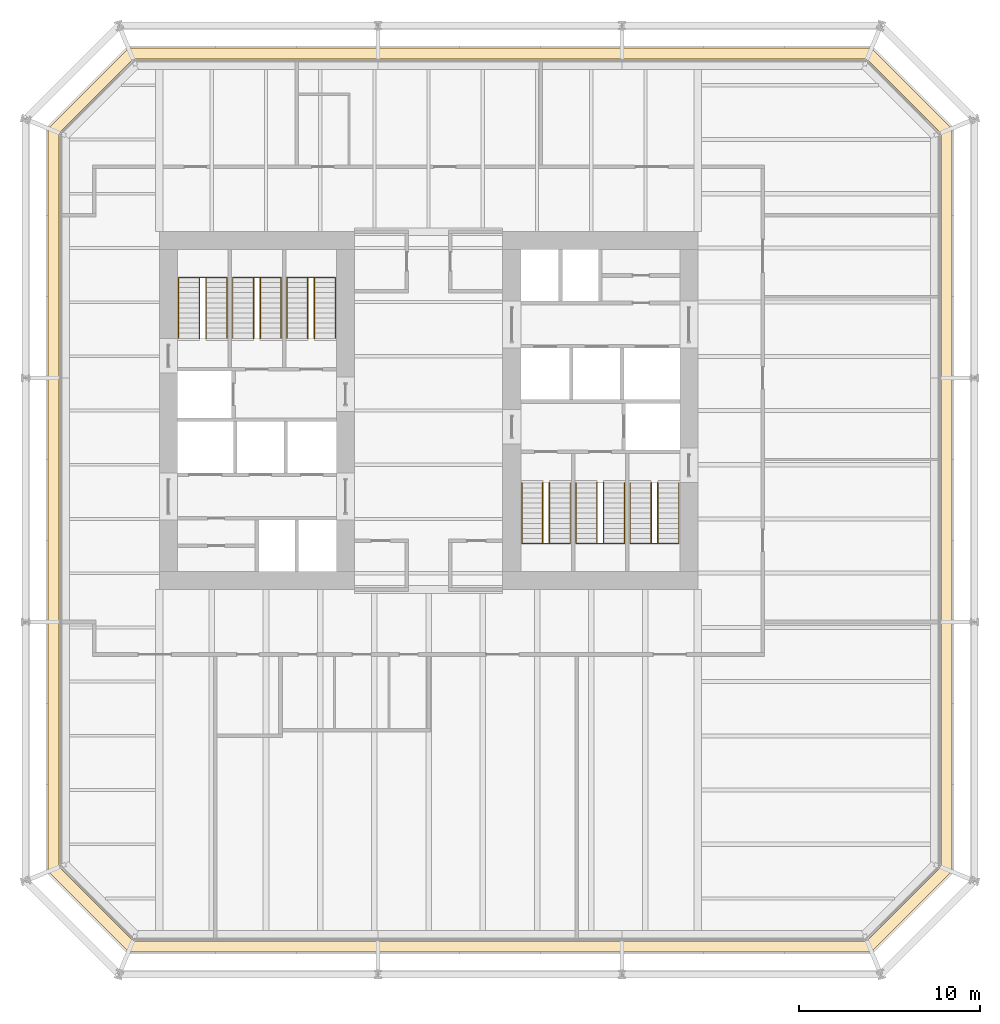
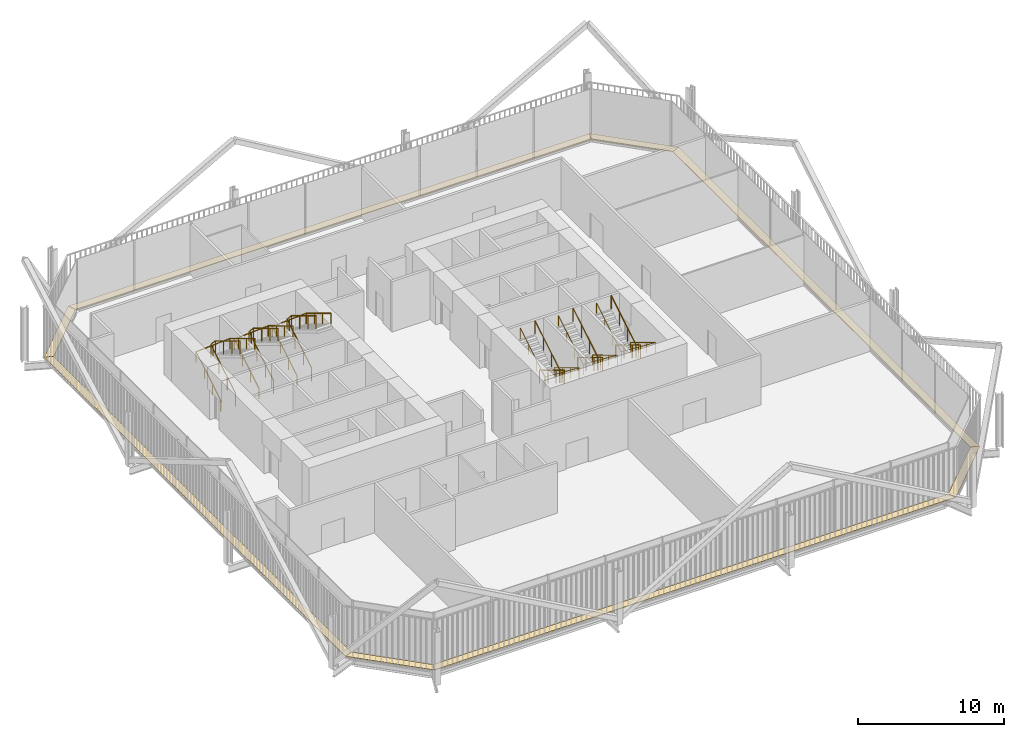
# One storey, part 21 of 21: 12 railings, 8 coverings.
"""IFC4 building model written with IfcOpenShell, lengths in metres."""

from ifc_helpers import new_model, si_unit, direction, frame, origin, origin_2d, place, context, subcontext, project, spatial, polyline, circle, outline, extrude, material, layer, layer_set, type_object, element, save


model = new_model("IFC4")

# Units and contexts
model_context = context("Model", 3, precision=1e-05, world=origin(), true_north=direction((0.0, 1.0)))
body_context = subcontext(model_context, "Body", "Model", "MODEL_VIEW")
ifc_project = project(units=[si_unit("LENGTHUNIT", "METRE"), si_unit("AREAUNIT", "SQUARE_METRE"), si_unit("VOLUMEUNIT", "CUBIC_METRE"), si_unit("PLANEANGLEUNIT", "RADIAN"), si_unit("MASSUNIT", "GRAM", prefix="KILO")], contexts=[model_context])

# Site, building, storey
site_placement = place(None, origin())
site = spatial("IfcSite", under=ifc_project, at=site_placement, CompositionType="ELEMENT")
building_placement = place(site_placement, origin())
building = spatial("IfcBuilding", under=site, at=building_placement, Name="Millrace Tower", CompositionType="ELEMENT")
storey_placement = place(building_placement, frame((0.0, 0.0, 95.199951171875)))
storey = spatial("IfcBuildingStorey", under=building, at=storey_placement, Name="L21", CompositionType="ELEMENT", Elevation=95.199951171875)

# Coverings
ifc_material_1 = material(Name="Steel ASTM A36", Category="steel")
ifc_layer = layer(ifc_material_1, 0.050048828125)
ifc_layer_set = layer_set([ifc_layer], Name="Steel ASTM A36")
covering_type = type_object("IfcCoveringType", Name="CAVITY CATWALK steel grating", PredefinedType="FLOORING", material=ifc_layer_set)
placement = place(storey_placement, frame((0.0, 0.0, 0.10009765625)))
element("IfcCovering", 1, at=placement, inside=storey, type_object=covering_type, Name="Cavity catwalk grating B-F01 L21 1", PredefinedType="FLOORING", context=body_context, shape_type="SweptSolid", body=[
    extrude(outline(polyline([(-21.050048828125, -25.5107421875), (-16.610595703125, -29.949951171875), (-16.362060546875, -29.35009765625), (-20.449951171875, -25.26220703125), (-21.050048828125, -25.5107421875)])), origin(), (0.0, 0.0, 1.0), 0.050048828125),
])
element("IfcCovering", 2, at=placement, inside=storey, type_object=covering_type, Name="Cavity catwalk grating B-F02 L21 1", PredefinedType="FLOORING", context=body_context, shape_type="SweptSolid", body=[
    extrude(outline(polyline([(-16.610595703125, -29.949951171875), (24.5107421875, -29.949951171875), (24.26220703125, -29.35009765625), (-16.362060546875, -29.35009765625), (-16.610595703125, -29.949951171875)])), origin(), (0.0, 0.0, 1.0), 0.050048828125),
])
element("IfcCovering", 3, at=placement, inside=storey, type_object=covering_type, Name="Cavity catwalk grating B-F03 L21 1", PredefinedType="FLOORING", context=body_context, shape_type="SweptSolid", body=[
    extrude(outline(polyline([(24.5107421875, -29.949951171875), (28.949951171875, -25.5107421875), (28.35009765625, -25.26220703125), (24.26220703125, -29.35009765625), (24.5107421875, -29.949951171875)])), origin(), (0.0, 0.0, 1.0), 0.050048828125),
])
element("IfcCovering", 4, at=placement, inside=storey, type_object=covering_type, Name="Cavity catwalk grating B-F04 L21 1", PredefinedType="FLOORING", context=body_context, shape_type="SweptSolid", body=[
    extrude(outline(polyline([(28.949951171875, -25.5107421875), (28.949951171875, 15.610595703125), (28.35009765625, 15.362060546875), (28.35009765625, -25.26220703125), (28.949951171875, -25.5107421875)])), origin(), (0.0, 0.0, 1.0), 0.050048828125),
])
element("IfcCovering", 5, at=placement, inside=storey, type_object=covering_type, Name="Cavity catwalk grating B-F05 L21 1", PredefinedType="FLOORING", context=body_context, shape_type="SweptSolid", body=[
    extrude(outline(polyline([(28.949951171875, 15.610595703125), (24.5107421875, 20.050048828125), (24.26220703125, 19.449951171875), (28.35009765625, 15.362060546875), (28.949951171875, 15.610595703125)])), origin(), (0.0, 0.0, 1.0), 0.050048828125),
])
element("IfcCovering", 6, at=placement, inside=storey, type_object=covering_type, Name="Cavity catwalk grating B-F06 L21 1", PredefinedType="FLOORING", context=body_context, shape_type="SweptSolid", body=[
    extrude(outline(polyline([(24.5107421875, 20.050048828125), (-16.610595703125, 20.050048828125), (-16.362060546875, 19.449951171875), (24.26220703125, 19.449951171875), (24.5107421875, 20.050048828125)])), origin(), (0.0, 0.0, 1.0), 0.050048828125),
])
element("IfcCovering", 7, at=placement, inside=storey, type_object=covering_type, Name="Cavity catwalk grating B-F07 L21 1", PredefinedType="FLOORING", context=body_context, shape_type="SweptSolid", body=[
    extrude(outline(polyline([(-16.610595703125, 20.050048828125), (-21.050048828125, 15.610595703125), (-20.449951171875, 15.362060546875), (-16.362060546875, 19.449951171875), (-16.610595703125, 20.050048828125)])), origin(), (0.0, 0.0, 1.0), 0.050048828125),
])
element("IfcCovering", 8, at=placement, inside=storey, type_object=covering_type, Name="Cavity catwalk grating B-F08 L21 1", PredefinedType="FLOORING", context=body_context, shape_type="SweptSolid", body=[
    extrude(outline(polyline([(-21.050048828125, 15.610595703125), (-21.050048828125, -25.5107421875), (-20.449951171875, -25.26220703125), (-20.449951171875, 15.362060546875), (-21.050048828125, 15.610595703125)])), origin(), (0.0, 0.0, 1.0), 0.050048828125),
])

# Railings
ifc_material_2 = material(Name="Stainless steel ASTM A240 type 316", Category="steel")
railing_type_1 = type_object("IfcRailingType", Name="Stair guard 1100", PredefinedType="GUARDRAIL", material=ifc_material_2)
for number, where, name in (
    (9, (-12.679931640625, 4.0, 0.169189453125), "Stair guard 1 W L21"),
    (10, (-9.679931640625, 4.0, 0.169189453125), "Stair guard 2 W L21"),
    (11, (-6.679931640625, 4.0, 0.169189453125), "Stair guard 3 W L21"),
):
    element("IfcRailing", number, at=place(storey_placement, frame(where)), inside=storey, type_object=railing_type_1, Name=name, PredefinedType="GUARDRAIL", context=body_context, shape_type="SweptSolid", body=[
        extrude(circle(Radius=0.02392578125, at=origin_2d()), frame((0.0, 0.0, 1.076171875), z_axis=(0.0, 0.855836976705, 0.517245656632), x_axis=(-1.0, 0.0, 0.0)), (0.0, 0.0, 1.0), 3.926025390625),
        extrude(circle(Radius=0.02392578125, at=origin_2d()), frame((0.0, 3.360107421875, 3.10693359375), z_axis=(0.904971698027, 0.0, 0.425471768475), x_axis=(0.0, 1.0, 0.0)), (0.0, 0.0, 1.0), 0.397705078125),
        extrude(circle(Radius=0.02392578125, at=origin_2d()), frame((0.35986328125, 3.360107421875, 3.27587890625), z_axis=(0.0, -0.855809448938, 0.517291201461), x_axis=(1.0, 0.0, 0.0)), (0.0, 0.0, 1.0), 3.92626953125),
        extrude(circle(Radius=0.02099609375, at=origin_2d()), origin(), (0.0, 0.0, 1.0), 1.052001953125),
        extrude(circle(Radius=0.02099609375, at=origin_2d()), frame((0.0, 1.1201171875, 0.677001953125)), (0.0, 0.0, 1.0), 1.052001953125),
        extrude(circle(Radius=0.02099609375, at=origin_2d()), frame((0.0, 2.239990234375, 1.353759765625)), (0.0, 0.0, 1.0), 1.052001953125),
        extrude(circle(Radius=0.02099609375, at=origin_2d()), frame((0.0, 3.360107421875, 2.03076171875)), (0.0, 0.0, 1.0), 1.052001953125),
        extrude(circle(Radius=0.02099609375, at=origin_2d()), frame((0.35986328125, 3.360107421875, 2.199951171875)), (0.0, 0.0, 1.0), 1.052001953125),
        extrude(circle(Radius=0.02099609375, at=origin_2d()), frame((0.35986328125, 2.239990234375, 2.876953125)), (0.0, 0.0, 1.0), 1.052001953125),
        extrude(circle(Radius=0.02099609375, at=origin_2d()), frame((0.35986328125, 1.1201171875, 3.553955078125)), (0.0, 0.0, 1.0), 1.052001953125),
        extrude(circle(Radius=0.02099609375, at=origin_2d()), frame((0.35986328125, 0.0, 4.23095703125)), (0.0, 0.0, 1.0), 1.052001953125),
    ])
for number, where, name in (
    (12, (12.679931640625, -4.0, 0.169189453125), "Stair guard 1 E L21"),
    (13, (9.679931640625, -4.0, 0.169189453125), "Stair guard 2 E L21"),
    (14, (6.679931640625, -4.0, 0.169189453125), "Stair guard 3 E L21"),
):
    element("IfcRailing", number, at=place(storey_placement, frame(where)), inside=storey, type_object=railing_type_1, Name=name, PredefinedType="GUARDRAIL", context=body_context, shape_type="SweptSolid", body=[
        extrude(circle(Radius=0.02392578125, at=origin_2d()), frame((0.0, 0.0, 1.076171875), z_axis=(0.0, -0.855836976705, 0.517245656632), x_axis=(1.0, 0.0, 0.0)), (0.0, 0.0, 1.0), 3.926025390625),
        extrude(circle(Radius=0.02392578125, at=origin_2d()), frame((0.0, -3.360107421875, 3.10693359375), z_axis=(-0.904971698027, 0.0, 0.425471768475), x_axis=(0.0, -1.0, 0.0)), (0.0, 0.0, 1.0), 0.397705078125),
        extrude(circle(Radius=0.02392578125, at=origin_2d()), frame((-0.35986328125, -3.360107421875, 3.27587890625), z_axis=(0.0, 0.855809448938, 0.517291201461), x_axis=(-1.0, 0.0, 0.0)), (0.0, 0.0, 1.0), 3.92626953125),
        extrude(circle(Radius=0.02099609375, at=origin_2d()), origin(), (0.0, 0.0, 1.0), 1.052001953125),
        extrude(circle(Radius=0.02099609375, at=origin_2d()), frame((0.0, -1.1201171875, 0.677001953125)), (0.0, 0.0, 1.0), 1.052001953125),
        extrude(circle(Radius=0.02099609375, at=origin_2d()), frame((0.0, -2.239990234375, 1.353759765625)), (0.0, 0.0, 1.0), 1.052001953125),
        extrude(circle(Radius=0.02099609375, at=origin_2d()), frame((0.0, -3.360107421875, 2.03076171875)), (0.0, 0.0, 1.0), 1.052001953125),
        extrude(circle(Radius=0.02099609375, at=origin_2d()), frame((-0.35986328125, -3.360107421875, 2.199951171875)), (0.0, 0.0, 1.0), 1.052001953125),
        extrude(circle(Radius=0.02099609375, at=origin_2d()), frame((-0.35986328125, -2.239990234375, 2.876953125)), (0.0, 0.0, 1.0), 1.052001953125),
        extrude(circle(Radius=0.02099609375, at=origin_2d()), frame((-0.35986328125, -1.1201171875, 3.553955078125)), (0.0, 0.0, 1.0), 1.052001953125),
        extrude(circle(Radius=0.02099609375, at=origin_2d()), frame((-0.35986328125, 0.0, 4.23095703125)), (0.0, 0.0, 1.0), 1.052001953125),
    ])
ifc_material_3 = material(Name="Stainless steel ASTM A240 type 316", Category="steel")
railing_type_2 = type_object("IfcRailingType", Name="Stair handrail 900", PredefinedType="HANDRAIL", material=ifc_material_3)
railing_1_placement = place(storey_placement, frame((-13.840087890625, 4.0, 0.169189453125)))
element("IfcRailing", 15, at=railing_1_placement, inside=storey, type_object=railing_type_2, Name="Stair handrail 1 W L21", PredefinedType="HANDRAIL", context=body_context, shape_type="SweptSolid", body=[
    extrude(circle(Radius=0.02392578125, at=origin_2d()), frame((0.0, 0.0, 0.8759765625), z_axis=(0.0, 0.855836976705, 0.517245656632), x_axis=(-1.0, 0.0, 0.0)), (0.0, 0.0, 1.0), 3.926025390625),
    extrude(circle(Radius=0.02392578125, at=origin_2d()), frame((0.0, 3.360107421875, 2.90673828125), z_axis=(0.998013473273, 0.0, 0.063000850517), x_axis=(0.0, 1.0, 0.0)), (0.0, 0.0, 1.0), 2.685546875),
    extrude(circle(Radius=0.02392578125, at=origin_2d()), frame((2.68017578125, 3.360107421875, 3.07568359375), z_axis=(0.0, -0.855809448938, 0.517291201461), x_axis=(1.0, 0.0, 0.0)), (0.0, 0.0, 1.0), 3.92626953125),
    extrude(circle(Radius=0.02099609375, at=origin_2d()), origin(), (0.0, 0.0, 1.0), 0.851806640625),
    extrude(circle(Radius=0.02099609375, at=origin_2d()), frame((0.0, 1.1201171875, 0.677001953125)), (0.0, 0.0, 1.0), 0.851806640625),
    extrude(circle(Radius=0.02099609375, at=origin_2d()), frame((0.0, 2.239990234375, 1.353759765625)), (0.0, 0.0, 1.0), 0.851806640625),
    extrude(circle(Radius=0.02099609375, at=origin_2d()), frame((0.0, 3.360107421875, 2.03076171875)), (0.0, 0.0, 1.0), 0.851806640625),
    extrude(circle(Radius=0.02099609375, at=origin_2d()), frame((1.340087890625, 3.360107421875, 2.115234375)), (0.0, 0.0, 1.0), 0.851806640625),
    extrude(circle(Radius=0.02099609375, at=origin_2d()), frame((2.68017578125, 3.360107421875, 2.199951171875)), (0.0, 0.0, 1.0), 0.851806640625),
    extrude(circle(Radius=0.02099609375, at=origin_2d()), frame((2.68017578125, 2.239990234375, 2.876953125)), (0.0, 0.0, 1.0), 0.851806640625),
    extrude(circle(Radius=0.02099609375, at=origin_2d()), frame((2.68017578125, 1.1201171875, 3.553955078125)), (0.0, 0.0, 1.0), 0.851806640625),
    extrude(circle(Radius=0.02099609375, at=origin_2d()), frame((2.68017578125, 0.0, 4.23095703125)), (0.0, 0.0, 1.0), 0.851806640625),
])
railing_2_placement = place(storey_placement, frame((-10.840087890625, 4.0, 0.169189453125)))
element("IfcRailing", 16, at=railing_2_placement, inside=storey, type_object=railing_type_2, Name="Stair handrail 2 W L21", PredefinedType="HANDRAIL", context=body_context, shape_type="SweptSolid", body=[
    extrude(circle(Radius=0.02392578125, at=origin_2d()), frame((0.0, 0.0, 0.8759765625), z_axis=(0.0, 0.855836976705, 0.517245656632), x_axis=(-1.0, 0.0, 0.0)), (0.0, 0.0, 1.0), 3.926025390625),
    extrude(circle(Radius=0.02392578125, at=origin_2d()), frame((0.0, 3.360107421875, 2.90673828125), z_axis=(0.998013473273, 0.0, 0.063000850517), x_axis=(0.0, 1.0, 0.0)), (0.0, 0.0, 1.0), 2.685546875),
    extrude(circle(Radius=0.02392578125, at=origin_2d()), frame((2.68017578125, 3.360107421875, 3.07568359375), z_axis=(0.0, -0.855809448938, 0.517291201461), x_axis=(1.0, 0.0, 0.0)), (0.0, 0.0, 1.0), 3.92626953125),
    extrude(circle(Radius=0.02099609375, at=origin_2d()), origin(), (0.0, 0.0, 1.0), 0.851806640625),
    extrude(circle(Radius=0.02099609375, at=origin_2d()), frame((0.0, 1.1201171875, 0.677001953125)), (0.0, 0.0, 1.0), 0.851806640625),
    extrude(circle(Radius=0.02099609375, at=origin_2d()), frame((0.0, 2.239990234375, 1.353759765625)), (0.0, 0.0, 1.0), 0.851806640625),
    extrude(circle(Radius=0.02099609375, at=origin_2d()), frame((0.0, 3.360107421875, 2.03076171875)), (0.0, 0.0, 1.0), 0.851806640625),
    extrude(circle(Radius=0.02099609375, at=origin_2d()), frame((1.340087890625, 3.360107421875, 2.115234375)), (0.0, 0.0, 1.0), 0.851806640625),
    extrude(circle(Radius=0.02099609375, at=origin_2d()), frame((2.68017578125, 3.360107421875, 2.199951171875)), (0.0, 0.0, 1.0), 0.851806640625),
    extrude(circle(Radius=0.02099609375, at=origin_2d()), frame((2.68017578125, 2.239990234375, 2.876953125)), (0.0, 0.0, 1.0), 0.851806640625),
    extrude(circle(Radius=0.02099609375, at=origin_2d()), frame((2.68017578125, 1.1201171875, 3.553955078125)), (0.0, 0.0, 1.0), 0.851806640625),
    extrude(circle(Radius=0.02099609375, at=origin_2d()), frame((2.68017578125, 0.0, 4.23095703125)), (0.0, 0.0, 1.0), 0.851806640625),
])
railing_3_placement = place(storey_placement, frame((-7.840087890625, 4.0, 0.169189453125)))
element("IfcRailing", 17, at=railing_3_placement, inside=storey, type_object=railing_type_2, Name="Stair handrail 3 W L21", PredefinedType="HANDRAIL", context=body_context, shape_type="SweptSolid", body=[
    extrude(circle(Radius=0.02392578125, at=origin_2d()), frame((0.0, 0.0, 0.8759765625), z_axis=(0.0, 0.855836976705, 0.517245656632), x_axis=(-1.0, 0.0, 0.0)), (0.0, 0.0, 1.0), 3.926025390625),
    extrude(circle(Radius=0.02392578125, at=origin_2d()), frame((0.0, 3.360107421875, 2.90673828125), z_axis=(0.998013473273, 0.0, 0.063000850517), x_axis=(0.0, 1.0, 0.0)), (0.0, 0.0, 1.0), 2.685546875),
    extrude(circle(Radius=0.02392578125, at=origin_2d()), frame((2.68017578125, 3.360107421875, 3.07568359375), z_axis=(0.0, -0.855809448938, 0.517291201461), x_axis=(1.0, 0.0, 0.0)), (0.0, 0.0, 1.0), 3.92626953125),
    extrude(circle(Radius=0.02099609375, at=origin_2d()), origin(), (0.0, 0.0, 1.0), 0.851806640625),
    extrude(circle(Radius=0.02099609375, at=origin_2d()), frame((0.0, 1.1201171875, 0.677001953125)), (0.0, 0.0, 1.0), 0.851806640625),
    extrude(circle(Radius=0.02099609375, at=origin_2d()), frame((0.0, 2.239990234375, 1.353759765625)), (0.0, 0.0, 1.0), 0.851806640625),
    extrude(circle(Radius=0.02099609375, at=origin_2d()), frame((0.0, 3.360107421875, 2.03076171875)), (0.0, 0.0, 1.0), 0.851806640625),
    extrude(circle(Radius=0.02099609375, at=origin_2d()), frame((1.340087890625, 3.360107421875, 2.115234375)), (0.0, 0.0, 1.0), 0.851806640625),
    extrude(circle(Radius=0.02099609375, at=origin_2d()), frame((2.68017578125, 3.360107421875, 2.199951171875)), (0.0, 0.0, 1.0), 0.851806640625),
    extrude(circle(Radius=0.02099609375, at=origin_2d()), frame((2.68017578125, 2.239990234375, 2.876953125)), (0.0, 0.0, 1.0), 0.851806640625),
    extrude(circle(Radius=0.02099609375, at=origin_2d()), frame((2.68017578125, 1.1201171875, 3.553955078125)), (0.0, 0.0, 1.0), 0.851806640625),
    extrude(circle(Radius=0.02099609375, at=origin_2d()), frame((2.68017578125, 0.0, 4.23095703125)), (0.0, 0.0, 1.0), 0.851806640625),
])
railing_4_placement = place(storey_placement, frame((13.840087890625, -4.0, 0.169189453125)))
element("IfcRailing", 18, at=railing_4_placement, inside=storey, type_object=railing_type_2, Name="Stair handrail 1 E L21", PredefinedType="HANDRAIL", context=body_context, shape_type="SweptSolid", body=[
    extrude(circle(Radius=0.02392578125, at=origin_2d()), frame((0.0, 0.0, 0.8759765625), z_axis=(0.0, -0.855836976705, 0.517245656632), x_axis=(1.0, 0.0, 0.0)), (0.0, 0.0, 1.0), 3.926025390625),
    extrude(circle(Radius=0.02392578125, at=origin_2d()), frame((0.0, -3.360107421875, 2.90673828125), z_axis=(-0.998013473273, 0.0, 0.063000850517), x_axis=(0.0, -1.0, 0.0)), (0.0, 0.0, 1.0), 2.685546875),
    extrude(circle(Radius=0.02392578125, at=origin_2d()), frame((-2.68017578125, -3.360107421875, 3.07568359375), z_axis=(0.0, 0.855809448938, 0.517291201461), x_axis=(-1.0, 0.0, 0.0)), (0.0, 0.0, 1.0), 3.92626953125),
    extrude(circle(Radius=0.02099609375, at=origin_2d()), origin(), (0.0, 0.0, 1.0), 0.851806640625),
    extrude(circle(Radius=0.02099609375, at=origin_2d()), frame((0.0, -1.1201171875, 0.677001953125)), (0.0, 0.0, 1.0), 0.851806640625),
    extrude(circle(Radius=0.02099609375, at=origin_2d()), frame((0.0, -2.239990234375, 1.353759765625)), (0.0, 0.0, 1.0), 0.851806640625),
    extrude(circle(Radius=0.02099609375, at=origin_2d()), frame((0.0, -3.360107421875, 2.03076171875)), (0.0, 0.0, 1.0), 0.851806640625),
    extrude(circle(Radius=0.02099609375, at=origin_2d()), frame((-1.340087890625, -3.360107421875, 2.115234375)), (0.0, 0.0, 1.0), 0.851806640625),
    extrude(circle(Radius=0.02099609375, at=origin_2d()), frame((-2.68017578125, -3.360107421875, 2.199951171875)), (0.0, 0.0, 1.0), 0.851806640625),
    extrude(circle(Radius=0.02099609375, at=origin_2d()), frame((-2.68017578125, -2.239990234375, 2.876953125)), (0.0, 0.0, 1.0), 0.851806640625),
    extrude(circle(Radius=0.02099609375, at=origin_2d()), frame((-2.68017578125, -1.1201171875, 3.553955078125)), (0.0, 0.0, 1.0), 0.851806640625),
    extrude(circle(Radius=0.02099609375, at=origin_2d()), frame((-2.68017578125, 0.0, 4.23095703125)), (0.0, 0.0, 1.0), 0.851806640625),
])
railing_5_placement = place(storey_placement, frame((10.840087890625, -4.0, 0.169189453125)))
element("IfcRailing", 19, at=railing_5_placement, inside=storey, type_object=railing_type_2, Name="Stair handrail 2 E L21", PredefinedType="HANDRAIL", context=body_context, shape_type="SweptSolid", body=[
    extrude(circle(Radius=0.02392578125, at=origin_2d()), frame((0.0, 0.0, 0.8759765625), z_axis=(0.0, -0.855836976705, 0.517245656632), x_axis=(1.0, 0.0, 0.0)), (0.0, 0.0, 1.0), 3.926025390625),
    extrude(circle(Radius=0.02392578125, at=origin_2d()), frame((0.0, -3.360107421875, 2.90673828125), z_axis=(-0.998013473273, 0.0, 0.063000850517), x_axis=(0.0, -1.0, 0.0)), (0.0, 0.0, 1.0), 2.685546875),
    extrude(circle(Radius=0.02392578125, at=origin_2d()), frame((-2.68017578125, -3.360107421875, 3.07568359375), z_axis=(0.0, 0.855809448938, 0.517291201461), x_axis=(-1.0, 0.0, 0.0)), (0.0, 0.0, 1.0), 3.92626953125),
    extrude(circle(Radius=0.02099609375, at=origin_2d()), origin(), (0.0, 0.0, 1.0), 0.851806640625),
    extrude(circle(Radius=0.02099609375, at=origin_2d()), frame((0.0, -1.1201171875, 0.677001953125)), (0.0, 0.0, 1.0), 0.851806640625),
    extrude(circle(Radius=0.02099609375, at=origin_2d()), frame((0.0, -2.239990234375, 1.353759765625)), (0.0, 0.0, 1.0), 0.851806640625),
    extrude(circle(Radius=0.02099609375, at=origin_2d()), frame((0.0, -3.360107421875, 2.03076171875)), (0.0, 0.0, 1.0), 0.851806640625),
    extrude(circle(Radius=0.02099609375, at=origin_2d()), frame((-1.340087890625, -3.360107421875, 2.115234375)), (0.0, 0.0, 1.0), 0.851806640625),
    extrude(circle(Radius=0.02099609375, at=origin_2d()), frame((-2.68017578125, -3.360107421875, 2.199951171875)), (0.0, 0.0, 1.0), 0.851806640625),
    extrude(circle(Radius=0.02099609375, at=origin_2d()), frame((-2.68017578125, -2.239990234375, 2.876953125)), (0.0, 0.0, 1.0), 0.851806640625),
    extrude(circle(Radius=0.02099609375, at=origin_2d()), frame((-2.68017578125, -1.1201171875, 3.553955078125)), (0.0, 0.0, 1.0), 0.851806640625),
    extrude(circle(Radius=0.02099609375, at=origin_2d()), frame((-2.68017578125, 0.0, 4.23095703125)), (0.0, 0.0, 1.0), 0.851806640625),
])
railing_6_placement = place(storey_placement, frame((7.840087890625, -4.0, 0.169189453125)))
element("IfcRailing", 20, at=railing_6_placement, inside=storey, type_object=railing_type_2, Name="Stair handrail 3 E L21", PredefinedType="HANDRAIL", context=body_context, shape_type="SweptSolid", body=[
    extrude(circle(Radius=0.02392578125, at=origin_2d()), frame((0.0, 0.0, 0.8759765625), z_axis=(0.0, -0.855836976705, 0.517245656632), x_axis=(1.0, 0.0, 0.0)), (0.0, 0.0, 1.0), 3.926025390625),
    extrude(circle(Radius=0.02392578125, at=origin_2d()), frame((0.0, -3.360107421875, 2.90673828125), z_axis=(-0.998013473273, 0.0, 0.063000850517), x_axis=(0.0, -1.0, 0.0)), (0.0, 0.0, 1.0), 2.685546875),
    extrude(circle(Radius=0.02392578125, at=origin_2d()), frame((-2.68017578125, -3.360107421875, 3.07568359375), z_axis=(0.0, 0.855809448938, 0.517291201461), x_axis=(-1.0, 0.0, 0.0)), (0.0, 0.0, 1.0), 3.92626953125),
    extrude(circle(Radius=0.02099609375, at=origin_2d()), origin(), (0.0, 0.0, 1.0), 0.851806640625),
    extrude(circle(Radius=0.02099609375, at=origin_2d()), frame((0.0, -1.1201171875, 0.677001953125)), (0.0, 0.0, 1.0), 0.851806640625),
    extrude(circle(Radius=0.02099609375, at=origin_2d()), frame((0.0, -2.239990234375, 1.353759765625)), (0.0, 0.0, 1.0), 0.851806640625),
    extrude(circle(Radius=0.02099609375, at=origin_2d()), frame((0.0, -3.360107421875, 2.03076171875)), (0.0, 0.0, 1.0), 0.851806640625),
    extrude(circle(Radius=0.02099609375, at=origin_2d()), frame((-1.340087890625, -3.360107421875, 2.115234375)), (0.0, 0.0, 1.0), 0.851806640625),
    extrude(circle(Radius=0.02099609375, at=origin_2d()), frame((-2.68017578125, -3.360107421875, 2.199951171875)), (0.0, 0.0, 1.0), 0.851806640625),
    extrude(circle(Radius=0.02099609375, at=origin_2d()), frame((-2.68017578125, -2.239990234375, 2.876953125)), (0.0, 0.0, 1.0), 0.851806640625),
    extrude(circle(Radius=0.02099609375, at=origin_2d()), frame((-2.68017578125, -1.1201171875, 3.553955078125)), (0.0, 0.0, 1.0), 0.851806640625),
    extrude(circle(Radius=0.02099609375, at=origin_2d()), frame((-2.68017578125, 0.0, 4.23095703125)), (0.0, 0.0, 1.0), 0.851806640625),
])

save(model, "model.ifc")
